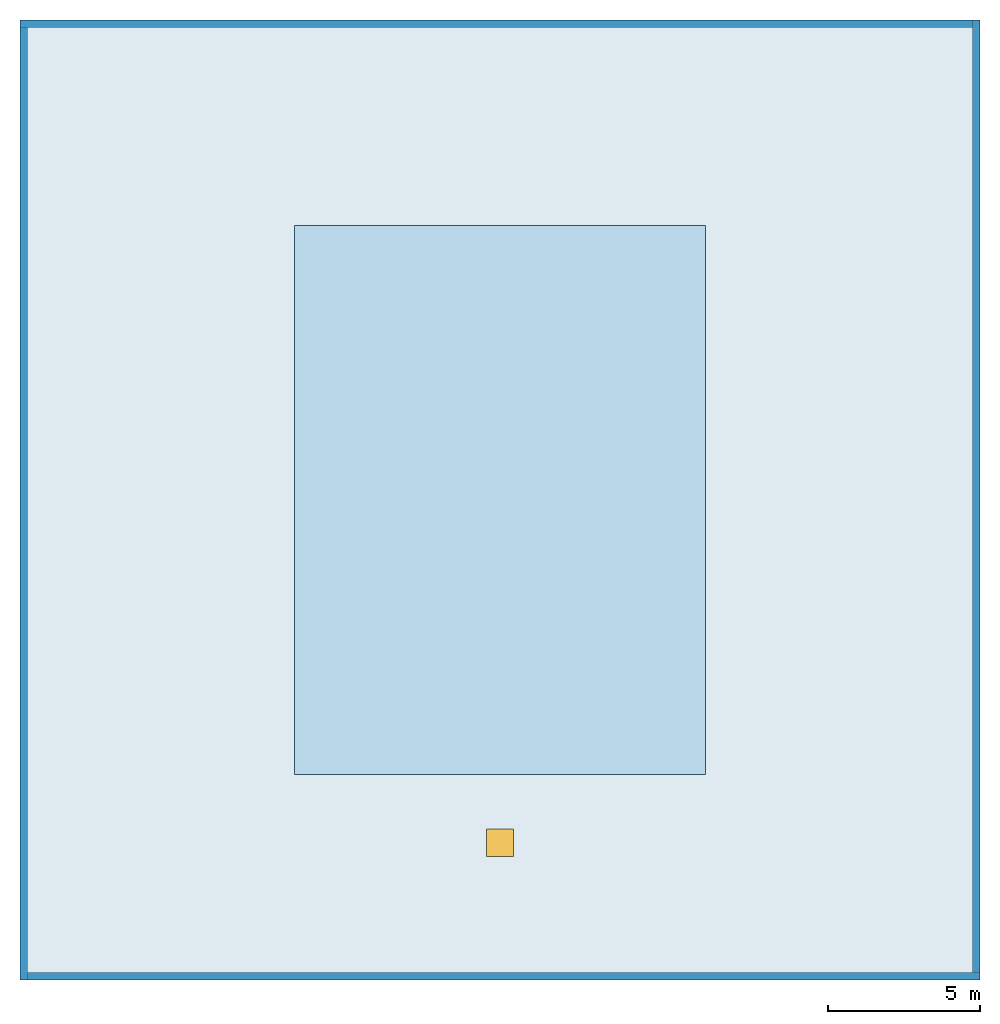
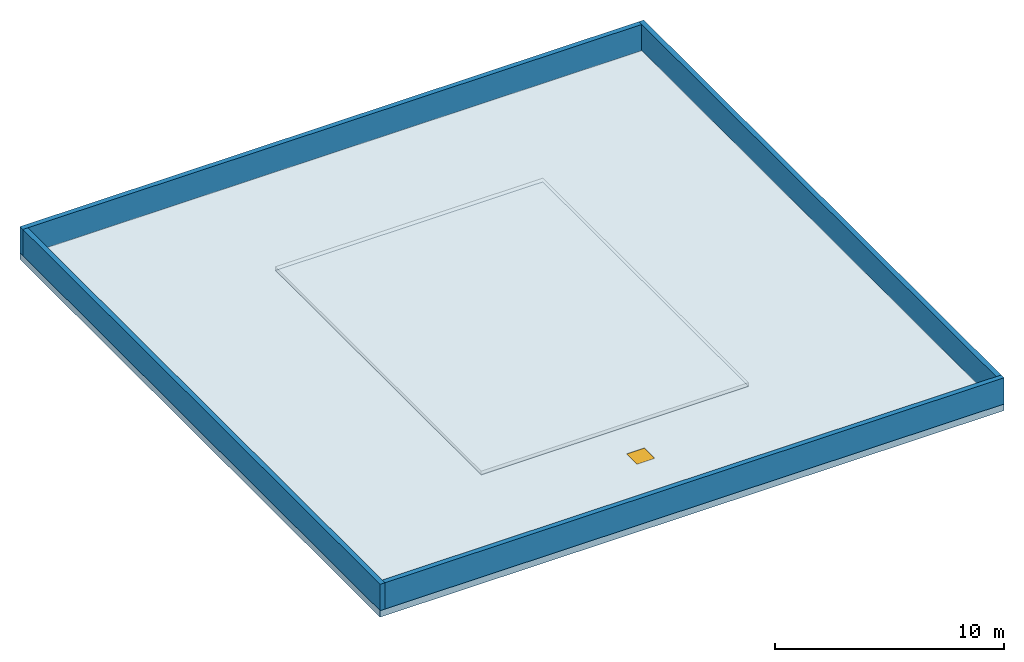
"""IFC4 building model written with IfcOpenShell, lengths in metres."""

from ifc_helpers import new_model, si_unit, direction, frame, frame_2d, origin, origin_2d, place, context, subcontext, project, spatial, polyline, rectangle, outline, extrude, material, layer, layer_set, type_object, element, fill, save


model = new_model("IFC4")

# Units and contexts
model_context = context("Model", 3, precision=1e-05, world=origin(), true_north=direction((0.0, 1.0)))
body_context = subcontext(model_context, "Body", "Model", "MODEL_VIEW")
ifc_project = project(units=[si_unit("LENGTHUNIT", "METRE"), si_unit("AREAUNIT", "SQUARE_METRE"), si_unit("VOLUMEUNIT", "CUBIC_METRE"), si_unit("PLANEANGLEUNIT", "RADIAN"), si_unit("MASSUNIT", "GRAM", prefix="KILO")], contexts=[model_context])

# Site, building, storey
site_placement = place(None, origin())
site = spatial("IfcSite", under=ifc_project, at=site_placement, CompositionType="ELEMENT")
building_placement = place(site_placement, origin())
building = spatial("IfcBuilding", under=site, at=building_placement, Name="Namib Vertical Campus", CompositionType="ELEMENT")
storey_1_placement = place(building_placement, frame((0.0, 0.0, 302.0)))
storey_1 = spatial("IfcBuildingStorey", under=building, at=storey_1_placement, Name="L71", CompositionType="ELEMENT", Elevation=302.0)

# Slab, opening
ifc_material_1 = material(Name="Concrete C40/50", Category="concrete")
ifc_layer_1 = layer(ifc_material_1, 0.35009765625)
ifc_layer_set_1 = layer_set([ifc_layer_1], Name="Concrete C40/50")
slab_type_1 = type_object("IfcSlabType", Name="Crown canopy slab 350", PredefinedType="ROOF", material=ifc_layer_set_1)
slab_1_placement = place(storey_1_placement, frame((0.0, 0.0, -0.35009765625)))
slab_1 = element("IfcSlab", 1, at=slab_1_placement, inside=storey_1, type_object=slab_type_1, Name="Crown canopy slab RS4", PredefinedType="ROOF", context=body_context, shape_type="SweptSolid", body=[
    extrude(outline(polyline([(4.5, 4.5), (36.0, 4.5), (36.0, 36.0), (4.5, 36.0), (4.5, 4.5)]), holes=[polyline([(27.0, 29.25), (27.0, 11.25), (13.5, 11.25), (13.5, 29.25), (27.0, 29.25)])]), origin(), (0.0, 0.0, 1.0), 0.35009765625),
])
opening_placement = place(slab_1_placement, frame((20.25, 9.0, 0.0)))
opening = element("IfcOpeningElement", 2, at=opening_placement, cuts=slab_1, Name="Opening RH1", PredefinedType="OPENING", context=body_context, shape_type="SweptSolid", body=[
    extrude(rectangle(XDim=0.89990234375, YDim=0.89990234375, at=origin_2d()), origin(), (0.0, 0.0, 1.0), 0.35009765625),
])

# Storey
storey_2_placement = place(building_placement, frame((0.0, 0.0, 297.0)))
storey_2 = spatial("IfcBuildingStorey", under=building, at=storey_2_placement, Name="L70", CompositionType="ELEMENT", Elevation=297.0)

# Door
ifc_material_2 = material(Name="Galvanised steel hatch", Category="steel")
door_type = type_object("IfcDoorType", Name="Roof access hatch 900x900", OperationType="SINGLE_SWING_LEFT", PredefinedType="TRAPDOOR", material=ifc_material_2)
door_placement = place(opening_placement, frame((0.0, 0.0, 0.300048828125)))
door = element("IfcDoor", 3, at=door_placement, inside=storey_2, type_object=door_type, Name="Canopy roof access hatch RH1 A", OperationType="SINGLE_SWING_LEFT", OverallHeight=0.89990234375, OverallWidth=0.89990234375, PredefinedType="TRAPDOOR", context=body_context, shape_type="SweptSolid", body=[
    extrude(rectangle(XDim=0.89990234375, YDim=0.89990234375, at=origin_2d()), origin(), (0.0, 0.0, 1.0), 0.050048828125),
])

fill(opening, door)

# Slab
ifc_material_3 = material(Name="Concrete C40/50", Category="concrete")
ifc_layer_2 = layer(ifc_material_3, 0.300048828125)
ifc_layer_set_2 = layer_set([ifc_layer_2], Name="Concrete C40/50")
slab_type_2 = type_object("IfcSlabType", Name="Roof slab 300", PredefinedType="ROOF", material=ifc_layer_set_2)
slab_2_placement = place(storey_1_placement, frame((0.0, 0.0, -0.300048828125)))
element("IfcSlab", 4, at=slab_2_placement, inside=storey_1, type_object=slab_type_2, Name="Core roof A", PredefinedType="ROOF", context=body_context, shape_type="SweptSolid", body=[
    extrude(outline(polyline([(13.5, 11.25), (27.0, 11.25), (27.0, 29.25), (13.5, 29.25), (13.5, 11.25)])), origin(), (0.0, 0.0, 1.0), 0.300048828125),
])

# Walls
ifc_material_4 = material(Name="Concrete C40/50", Category="concrete")
ifc_layer_3 = layer(ifc_material_4, 0.25)
ifc_layer_set_3 = layer_set([ifc_layer_3], Name="Concrete C40/50")
wall_type = type_object("IfcWallType", Name="Parapet wall 250", PredefinedType="PARAPET", material=ifc_layer_set_3)
for number, where, z_axis, x_axis, name in (
    (5, (35.875, 4.75, 0.0), (0.0, 0.0, 1.0), (0.0, 1.0, 0.0), "Parapet PW1 A canopy 1"),
    (6, (35.75, 35.875, 0.0), (0.0, 0.0, 1.0), (-1.0, 0.0, 0.0), "Parapet PW1 A canopy 2"),
    (7, (4.625, 35.75, 0.0), (0.0, 0.0, 1.0), (0.0, -1.0, 0.0), "Parapet PW1 A canopy 3"),
    (8, (4.75, 4.625, 0.0), (0.0, 0.0, 1.0), (1.0, 0.0, 0.0), "Parapet PW1 A canopy 4"),
):
    element("IfcWall", number, at=place(storey_1_placement, frame(where, z_axis=z_axis, x_axis=x_axis)), inside=storey_1, type_object=wall_type, Name=name, PredefinedType="PARAPET", context=body_context, shape_type="SweptSolid", body=[
        extrude(rectangle(XDim=31.25, YDim=0.25, at=frame_2d((15.625, 0.0))), origin(), (0.0, 0.0, 1.0), 1.39990234375),
    ])

save(model, "model.ifc")
